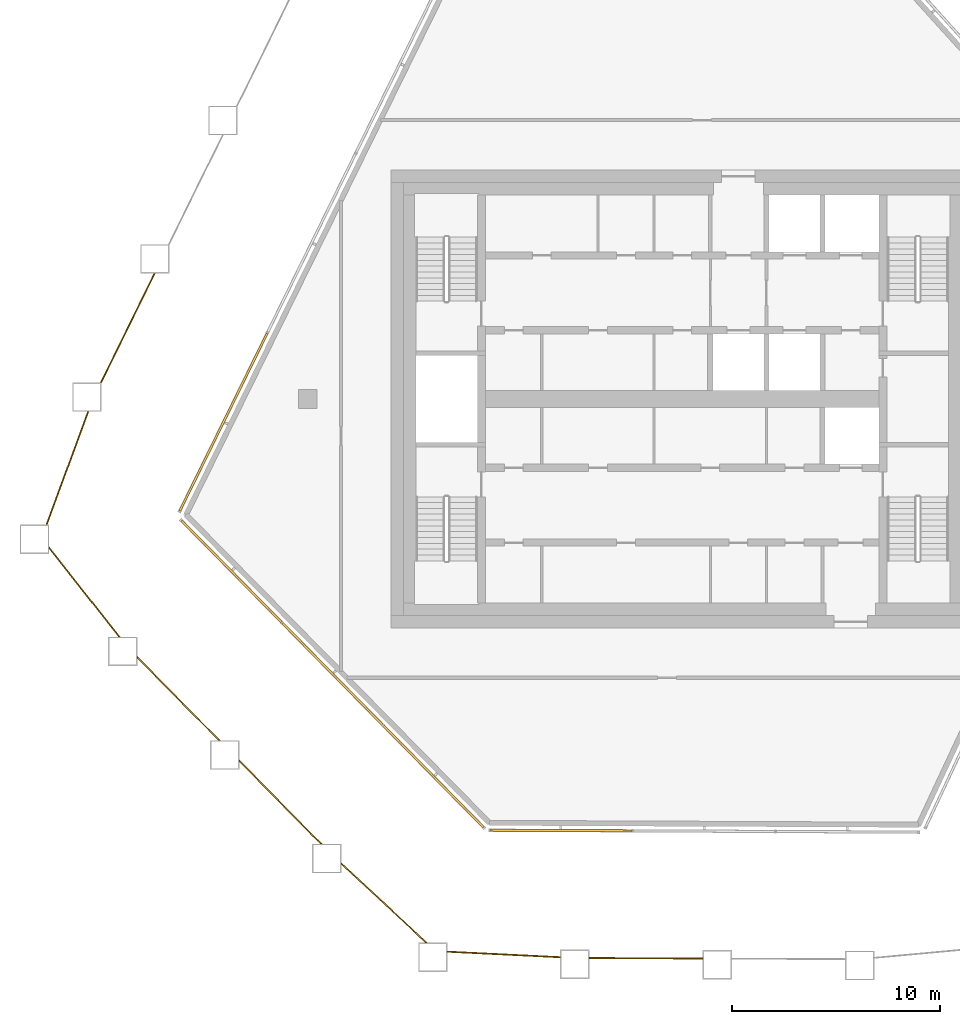
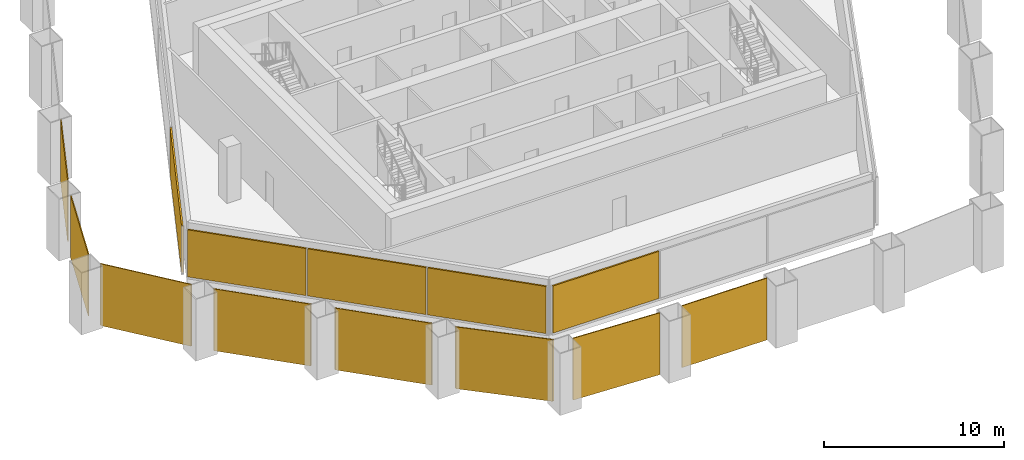
# One storey, part 12 of 18: 13 coverings, 3 elements without a shape of their own.
"""IFC4 building model written with IfcOpenShell, lengths in metres."""

from ifc_helpers import new_model, si_unit, direction, frame, origin, origin_2d, place, context, subcontext, project, spatial, polyline, rectangle, outline, extrude, material, layer, layer_set, type_object, element, aggregate, save


model = new_model("IFC4")

# Units and contexts
model_context = context("Model", 3, precision=1e-05, world=origin(), true_north=direction((0.0, 1.0)))
body_context = subcontext(model_context, "Body", "Model", "MODEL_VIEW")
ifc_project = project(units=[si_unit("LENGTHUNIT", "METRE"), si_unit("AREAUNIT", "SQUARE_METRE"), si_unit("VOLUMEUNIT", "CUBIC_METRE"), si_unit("PLANEANGLEUNIT", "RADIAN"), si_unit("MASSUNIT", "GRAM", prefix="KILO")], contexts=[model_context])

# Site, building, storey
site_placement = place(None, origin())
site = spatial("IfcSite", under=ifc_project, at=site_placement, CompositionType="ELEMENT")
building_placement = place(site_placement, origin())
building = spatial("IfcBuilding", under=site, at=building_placement, Name="Dongbaek Canopy Tower", CompositionType="ELEMENT")
storey_placement = place(building_placement, frame((0.0, 0.0, 367.39990234375)))
storey = spatial("IfcBuildingStorey", under=building, at=storey_placement, Name="L79", CompositionType="ELEMENT", Elevation=367.39990234375)

# Coverings
ifc_material_1 = material(Name="Perforated pale metal")
ifc_layer_1 = layer(ifc_material_1, 0.06005859375)
ifc_layer_set_1 = layer_set([ifc_layer_1], Name="Crown plant screen")
covering_type_1 = type_object("IfcCoveringType", Name="Crown plant screen", PredefinedType="CLADDING", material=ifc_layer_set_1)
covering_1_placement = place(storey_placement, origin())
element("IfcCovering", 1, at=covering_1_placement, inside=storey, type_object=covering_type_1, Name="Crown plant screen 1 L79", PredefinedType="CLADDING", context=body_context, shape_type="SweptSolid", body=[
    extrude(outline(polyline([(-30.428955078125, -7.197998046875), (-30.428955078125, -7.10107421875), (-27.02001953125, -11.43408203125), (-27.09619140625, -11.43408203125), (-30.428955078125, -7.197998046875)])), origin(), (0.0, 0.0, 1.0), 4.2001953125),
])
covering_2_placement = place(storey_placement, origin())
element("IfcCovering", 2, at=covering_2_placement, inside=storey, type_object=covering_type_1, Name="Crown plant screen 2 L79", PredefinedType="CLADDING", context=body_context, shape_type="SweptSolid", body=[
    extrude(outline(polyline([(-26.18896484375, -12.4599609375), (-26.18896484375, -12.37451171875), (-22.21240234375, -16.412109375), (-22.29638671875, -16.412109375), (-26.18896484375, -12.4599609375)])), origin(), (0.0, 0.0, 1.0), 4.2001953125),
])
covering_3_placement = place(storey_placement, origin())
element("IfcCovering", 3, at=covering_3_placement, inside=storey, type_object=covering_type_1, Name="Crown plant screen 3 L79", PredefinedType="CLADDING", context=body_context, shape_type="SweptSolid", body=[
    extrude(outline(polyline([(-21.285888671875, -17.43798828125), (-21.285888671875, -17.352294921875), (-17.310302734375, -21.388916015625), (-17.39453125, -21.388916015625), (-21.285888671875, -17.43798828125)])), origin(), (0.0, 0.0, 1.0), 4.2001953125),
])
covering_4_placement = place(storey_placement, origin())
element("IfcCovering", 4, at=covering_4_placement, inside=storey, type_object=covering_type_1, Name="Crown plant screen 4 L79", PredefinedType="CLADDING", context=body_context, shape_type="SweptSolid", body=[
    extrude(outline(polyline([(-16.384033203125, -22.371337890625), (-16.384033203125, -22.289306640625), (-12.253173828125, -26.131103515625), (-12.34130859375, -26.131103515625), (-16.384033203125, -22.371337890625)])), origin(), (0.0, 0.0, 1.0), 4.2001953125),
])
covering_5_placement = place(storey_placement, origin())
element("IfcCovering", 5, at=covering_5_placement, inside=storey, type_object=covering_type_1, Name="Crown plant screen 5 L79", PredefinedType="CLADDING", context=body_context, shape_type="SweptSolid", body=[
    extrude(outline(polyline([(-11.284912109375, -26.59521484375), (-11.284912109375, -26.53515625), (-5.865966796875, -26.802001953125), (-5.865966796875, -26.8623046875), (-11.284912109375, -26.59521484375)])), origin(), (0.0, 0.0, 1.0), 4.2001953125),
])
covering_6_placement = place(storey_placement, origin())
element("IfcCovering", 6, at=covering_6_placement, inside=storey, type_object=covering_type_1, Name="Crown plant screen 6 L79", PredefinedType="CLADDING", context=body_context, shape_type="SweptSolid", body=[
    extrude(outline(polyline([(-4.466064453125, -26.900146484375), (-4.466064453125, -26.840087890625), (0.98291015625, -26.864013671875), (0.98291015625, -26.923828125), (-4.466064453125, -26.900146484375)])), origin(), (0.0, 0.0, 1.0), 4.2001953125),
])
covering_7_placement = place(storey_placement, origin())
element("IfcCovering", 7, at=covering_7_placement, inside=storey, type_object=covering_type_1, Name="Crown plant screen 25 L79", PredefinedType="CLADDING", context=body_context, shape_type="SweptSolid", body=[
    extrude(outline(polyline([(-25.390380859375, 6.034912109375), (-25.323486328125, 6.034912109375), (-27.9169921875, 0.76171875), (-27.9169921875, 0.785888671875), (-27.971923828125, 0.785888671875), (-25.390380859375, 6.034912109375)])), origin(), (0.0, 0.0, 1.0), 4.2001953125),
])
covering_8_placement = place(storey_placement, origin())
element("IfcCovering", 8, at=covering_8_placement, inside=storey, type_object=covering_type_1, Name="Crown plant screen 26 L79", PredefinedType="CLADDING", context=body_context, shape_type="SweptSolid", body=[
    extrude(outline(polyline([(-28.586669921875, -0.614013671875), (-28.522705078125, -0.614013671875), (-30.52001953125, -6.044921875), (-30.583984375, -6.044921875), (-28.586669921875, -0.614013671875)])), origin(), (0.0, 0.0, 1.0), 4.2001953125),
])

# Curtain wall, covering
ifc_material_2 = material(Name="Aluminium 6063-T6 pale anodised", Category="aluminium")
ifc_layer_2 = layer(ifc_material_2, 0.14990234375)
ifc_layer_set_2 = layer_set([ifc_layer_2], Name="CW-7 louvre curtain wall")
curtain_wall_type = type_object("IfcCurtainWallType", Name="CW-7 louvre curtain wall", PredefinedType="NOTDEFINED", material=ifc_layer_set_2)
curtain_wall_1_placement = place(storey_placement, origin())
curtain_wall_1 = element("IfcCurtainWall", 9, at=curtain_wall_1_placement, inside=storey, type_object=curtain_wall_type, Name="CW-7 louvre wall L79 F0", PredefinedType="NOTDEFINED")
ifc_material_3 = material(Name="Aluminium 6063-T6 pale metal louvre blades", Category="aluminium")
ifc_layer_3 = layer(ifc_material_3, 0.10009765625)
ifc_layer_set_3 = layer_set([ifc_layer_3], Name="Louvre LV bank 100 x 3200")
covering_type_2 = type_object("IfcCoveringType", Name="Louvre LV bank 100 x 3200", PredefinedType="CLADDING", material=ifc_layer_set_3)
covering_9_placement = place(storey_placement, frame((-5.828369140625, -20.741943359375, 0.30029296875), z_axis=(0.0, 0.0, 1.0), x_axis=(0.999990026762, -0.004466136555, 0.0)))
covering_9 = element("IfcCovering", 10, at=covering_9_placement, type_object=covering_type_2, Name="Louvre L79 F0.1.1", PredefinedType="CLADDING", context=body_context, shape_type="SweptSolid", body=[
    extrude(rectangle(XDim=6.787841796875, YDim=0.10009765625, at=origin_2d()), origin(), (0.0, 0.0, 1.0), 3.199951171875),
])
aggregate(curtain_wall_1, [covering_9])

curtain_wall_2_placement = place(storey_placement, origin())
curtain_wall_2 = element("IfcCurtainWall", 11, at=curtain_wall_2_placement, inside=storey, type_object=curtain_wall_type, Name="CW-7 louvre wall L79 F4", PredefinedType="NOTDEFINED")
covering_10_placement = place(storey_placement, frame((-22.04638671875, -1.105712890625, 0.30029296875), z_axis=(0.0, 0.0, 1.0), x_axis=(-0.441341619439, -0.897339163834, 0.0)))
covering_10 = element("IfcCovering", 12, at=covering_10_placement, type_object=covering_type_2, Name="Louvre L79 F4.1.3", PredefinedType="CLADDING", context=body_context, shape_type="SweptSolid", body=[
    extrude(rectangle(XDim=9.51171875, YDim=0.10009765625, at=origin_2d()), origin(), (0.0, 0.0, 1.0), 3.199951171875),
])
aggregate(curtain_wall_2, [covering_10])

# Curtain wall, coverings
curtain_wall_3_placement = place(storey_placement, origin())
curtain_wall_3 = element("IfcCurtainWall", 13, at=curtain_wall_3_placement, inside=storey, type_object=curtain_wall_type, Name="CW-7 louvre wall L79 F5", PredefinedType="NOTDEFINED")
covering_11_placement = place(storey_placement, frame((-21.669677734375, -8.28173828125, 0.30029296875), z_axis=(0.0, 0.0, 1.0), x_axis=(0.70171826998, -0.712454538603, 0.0)))
covering_11 = element("IfcCovering", 14, at=covering_11_placement, type_object=covering_type_2, Name="Louvre L79 F5.1.1", PredefinedType="CLADDING", context=body_context, shape_type="SweptSolid", body=[
    extrude(rectangle(XDim=6.83837890625, YDim=0.10009765625, at=origin_2d()), origin(), (0.0, 0.0, 1.0), 3.199951171875),
])
covering_12_placement = place(storey_placement, frame((-16.807861328125, -13.218017578125, 0.30029296875), z_axis=(0.0, 0.0, 1.0), x_axis=(0.70171826998, -0.712454538603, 0.0)))
covering_12 = element("IfcCovering", 15, at=covering_12_placement, type_object=covering_type_2, Name="Louvre L79 F5.1.2", PredefinedType="CLADDING", context=body_context, shape_type="SweptSolid", body=[
    extrude(rectangle(XDim=6.83837890625, YDim=0.10009765625, at=origin_2d()), origin(), (0.0, 0.0, 1.0), 3.199951171875),
])
covering_13_placement = place(storey_placement, frame((-11.946044921875, -18.154052734375, 0.30029296875), z_axis=(0.0, 0.0, 1.0), x_axis=(0.70171826998, -0.712454538603, 0.0)))
covering_13 = element("IfcCovering", 16, at=covering_13_placement, type_object=covering_type_2, Name="Louvre L79 F5.1.3", PredefinedType="CLADDING", context=body_context, shape_type="SweptSolid", body=[
    extrude(rectangle(XDim=6.83837890625, YDim=0.10009765625, at=origin_2d()), origin(), (0.0, 0.0, 1.0), 3.199951171875),
])
aggregate(curtain_wall_3, [covering_11, covering_12, covering_13])

save(model, "model.ifc")
